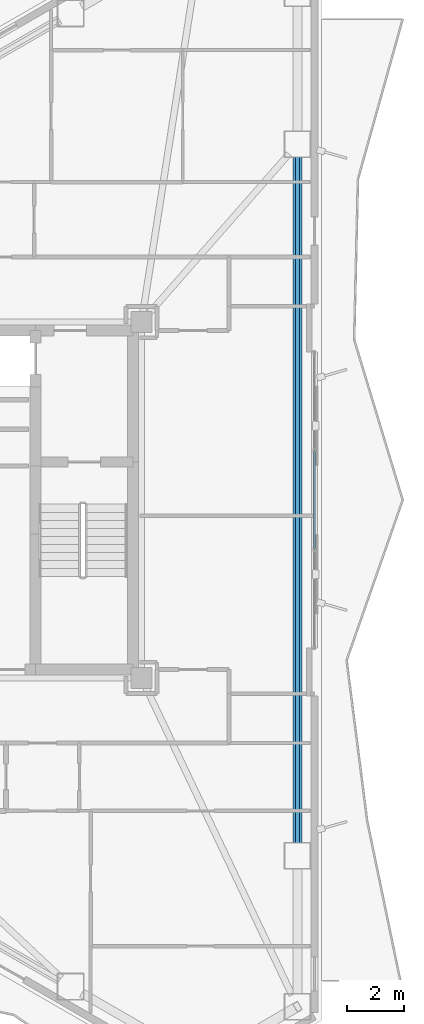
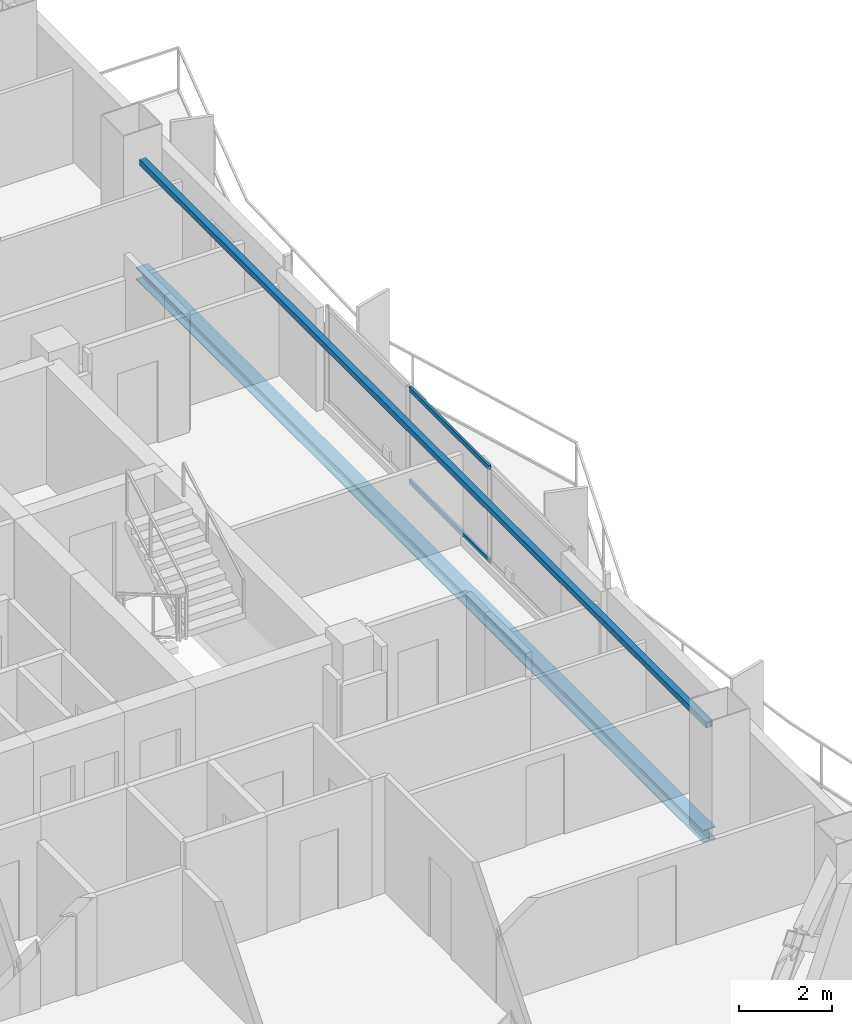
# One storey, part 8 of 19: 2 beams, 2 members, 1 element without a shape of its own.
"""IFC4 building model written with IfcOpenShell, lengths in metres."""

from ifc_helpers import new_model, si_unit, direction, frame, origin, origin_2d, place, context, subcontext, project, spatial, hollow_rectangle, i_section, extrude, material, layer, layer_set, material_profile, profile_set, type_object, element, aggregate, save


model = new_model("IFC4")

# Units and contexts
model_context = context("Model", 3, precision=1e-05, world=origin(), true_north=direction((0.0, 1.0)))
body_context = subcontext(model_context, "Body", "Model", "MODEL_VIEW")
ifc_project = project(units=[si_unit("LENGTHUNIT", "METRE"), si_unit("AREAUNIT", "SQUARE_METRE"), si_unit("VOLUMEUNIT", "CUBIC_METRE"), si_unit("PLANEANGLEUNIT", "RADIAN"), si_unit("MASSUNIT", "GRAM", prefix="KILO")], contexts=[model_context])

# Site, building, storey
site_placement = place(None, origin())
site = spatial("IfcSite", under=ifc_project, at=site_placement, CompositionType="ELEMENT")
building_placement = place(site_placement, origin())
building = spatial("IfcBuilding", under=site, at=building_placement, Name="Mersakhor Tower and Convention Hall", CompositionType="ELEMENT")
storey_placement = place(building_placement, frame((0.0, 0.0, 141.0)))
storey = spatial("IfcBuildingStorey", under=building, at=storey_placement, Name="L39", CompositionType="ELEMENT", Elevation=141.0)

# Beams
ifc_material_1 = material(Name="Steel S355", Category="steel")
ifc_material_profile_1 = material_profile(ifc_material_1, hollow_rectangle(XDim=0.14990234375, YDim=0.14990234375, WallThickness=0.010009765625, at=origin_2d()), Name="SHS 150x150x10")
ifc_profile_set_1 = profile_set([ifc_material_profile_1], Name="Steel S355")
beam_type_1 = type_object("IfcBeamType", Name="BM-GRT-SHS150", PredefinedType="USERDEFINED", material=ifc_profile_set_1)
beam_1_placement = place(storey_placement, frame((41.619140625, 38.8837890625, 2.47998046875), z_axis=(0.0, -1.0, 0.0), x_axis=(1.0, 0.0, 0.0)))
element("IfcBeam", 1, at=beam_1_placement, inside=storey, type_object=beam_type_1, Name="L39 Facade Support Girt GRT-F2", ObjectType="GIRT", PredefinedType="USERDEFINED", context=body_context, shape_type="SweptSolid", body=[
    extrude(hollow_rectangle(XDim=0.14990234375, YDim=0.14990234375, WallThickness=0.010009765625, at=origin_2d()), origin(), (0.0, 0.0, 1.0), 24.267578125),
])
ifc_material_2 = material(Name="Steel S355", Category="steel")
ifc_material_profile_2 = material_profile(ifc_material_2, i_section(OverallWidth=0.30908203125, OverallDepth=0.320556640625, WebThickness=0.013916015625, FlangeThickness=0.021728515625, at=origin_2d()), Name="UC 305x305x137")
ifc_profile_set_2 = profile_set([ifc_material_profile_2], Name="Steel S355")
beam_type_2 = type_object("IfcBeamType", Name="BM-SPD-UC305", PredefinedType="SPANDREL", material=ifc_profile_set_2)
beam_2_placement = place(storey_placement, frame((41.619140625, 38.8837890625, -0.400146484375), z_axis=(0.0, -1.0, 0.0), x_axis=(1.0, 0.0, 0.0)))
element("IfcBeam", 2, at=beam_2_placement, inside=storey, type_object=beam_type_2, Name="L39 Perimeter Spandrel Beam SPB-06", PredefinedType="SPANDREL", context=body_context, shape_type="SweptSolid", body=[
    extrude(i_section(OverallWidth=0.30908203125, OverallDepth=0.320556640625, WebThickness=0.013916015625, FlangeThickness=0.021728515625, at=origin_2d()), origin(), (0.0, 0.0, 1.0), 24.267578125),
])

# Curtain wall, members
ifc_material_3 = material(Name="Dark solar low-E aluminium curtain wall", Category="aluminium")
ifc_layer = layer(ifc_material_3, 0.169921875)
ifc_layer_set = layer_set([ifc_layer], Name="Dark solar low-E aluminium curtain wall")
curtain_wall_type = type_object("IfcCurtainWallType", Name="CW-SYS-02", PredefinedType="USERDEFINED", material=ifc_layer_set)
curtain_wall_placement = place(storey_placement, origin())
curtain_wall = element("IfcCurtainWall", 3, at=curtain_wall_placement, inside=storey, type_object=curtain_wall_type, Name="L39 Dark-Glass Curtain Wall F2-B2", ObjectType="CURTAIN WALL", PredefinedType="USERDEFINED")
ifc_material_4 = material(Name="Anodised aluminium EN AW-6063 T6", Category="aluminium")
ifc_material_profile_3 = material_profile(ifc_material_4, hollow_rectangle(XDim=0.06005859375, YDim=0.1201171875, WallThickness=0.0048828125, at=origin_2d()), Name="RHS 120x60x5")
ifc_profile_set_3 = profile_set([ifc_material_profile_3], Name="Anodised aluminium EN AW-6063 T6")
member_type = type_object("IfcMemberType", Name="CWT-120x60", PredefinedType="USERDEFINED", material=ifc_profile_set_3)
member_1_placement = place(storey_placement, frame((42.21923828125, 28.460205078125, 0.22998046875), z_axis=(0.0, -1.0, 0.0), x_axis=(1.0, 0.0, 0.0)))
member_1 = element("IfcMember", 4, at=member_1_placement, type_object=member_type, Name="CW-02 transom 2.1", ObjectType="TRANSOM", PredefinedType="USERDEFINED", context=body_context, shape_type="SweptSolid", body=[
    extrude(hollow_rectangle(XDim=0.06005859375, YDim=0.1201171875, WallThickness=0.0048828125, at=origin_2d()), origin(), (0.0, 0.0, 1.0), 3.42041015625),
])
member_2_placement = place(storey_placement, frame((42.21923828125, 28.460205078125, 2.64990234375), z_axis=(0.0, -1.0, 0.0), x_axis=(1.0, 0.0, 0.0)))
member_2 = element("IfcMember", 5, at=member_2_placement, type_object=member_type, Name="CW-02 transom 2.2", ObjectType="TRANSOM", PredefinedType="USERDEFINED", context=body_context, shape_type="SweptSolid", body=[
    extrude(hollow_rectangle(XDim=0.06005859375, YDim=0.1201171875, WallThickness=0.0048828125, at=origin_2d()), origin(), (0.0, 0.0, 1.0), 3.42041015625),
])
aggregate(curtain_wall, [member_1, member_2])

save(model, "model.ifc")
